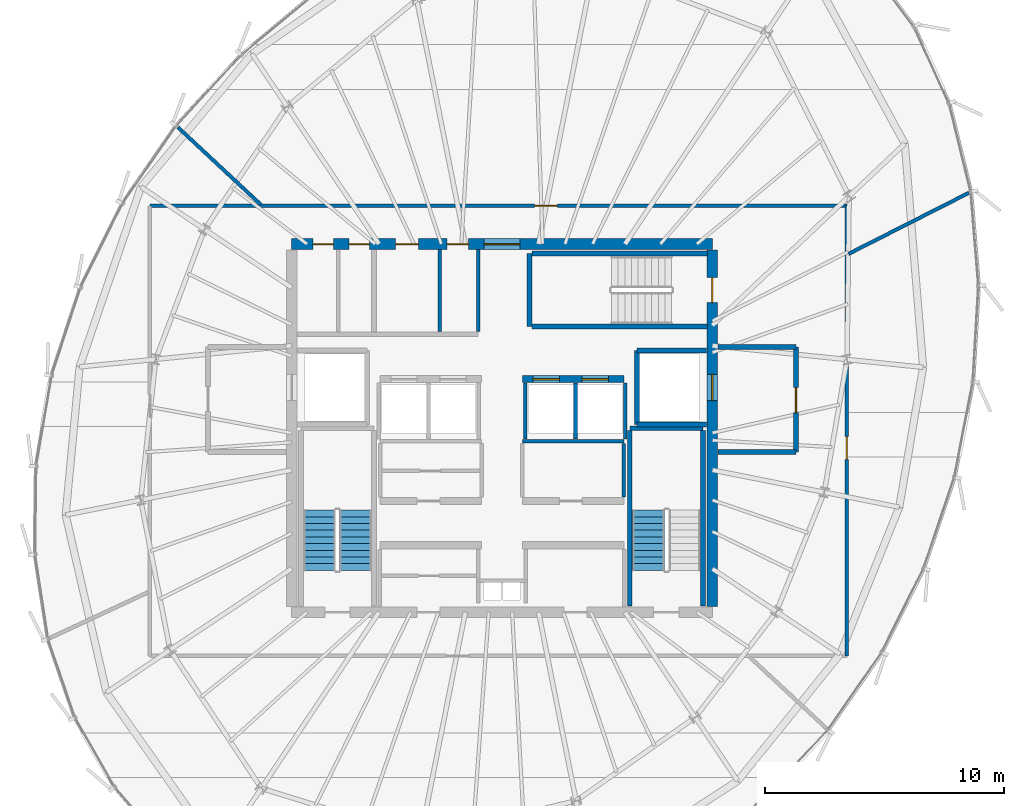
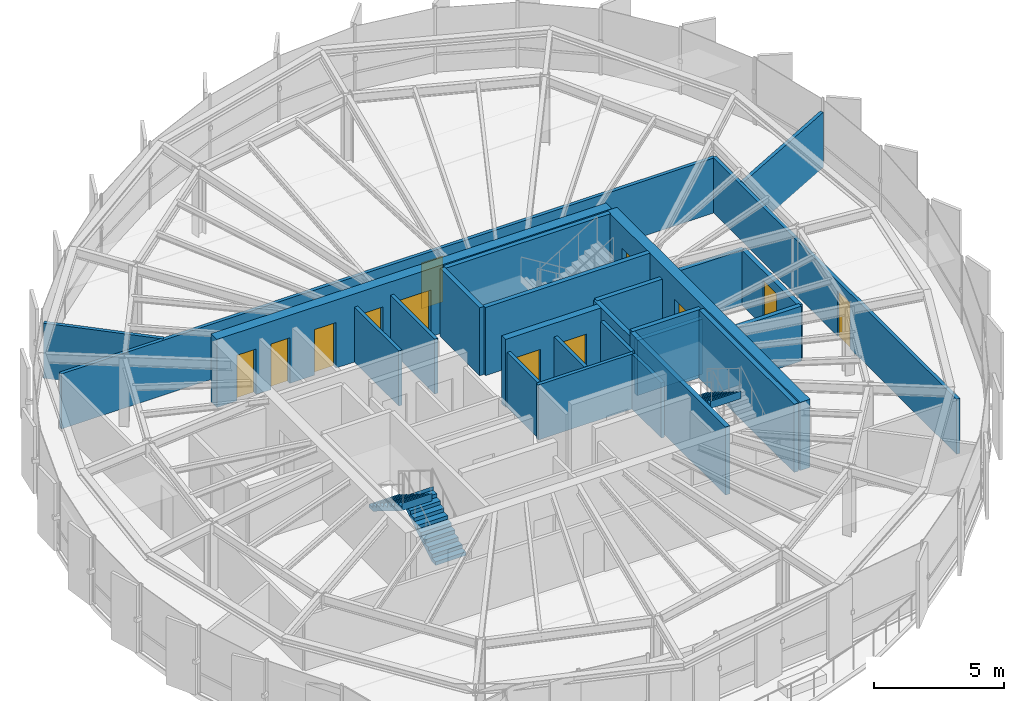
# One storey, part 27 of 32: 26 walls, 12 doors, 3 stair flights, 12 openings, 2 elements without a shape of their own.
"""IFC4 building model written with IfcOpenShell, lengths in metres."""

from ifc_helpers import new_model, si_unit, direction, frame, frame_2d, origin, place, context, subcontext, project, spatial, polyline, rectangle, outline, extrude, source, transform, mapped, material, layer, layer_set, type_object, element, fill, aggregate, save


model = new_model("IFC4")

# Units and contexts
model_context = context("Model", 3, precision=1e-05, world=origin(), true_north=direction((0.0, 1.0)))
body_context = subcontext(model_context, "Body", "Model", "MODEL_VIEW")
ifc_project = project(units=[si_unit("LENGTHUNIT", "METRE"), si_unit("AREAUNIT", "SQUARE_METRE"), si_unit("VOLUMEUNIT", "CUBIC_METRE"), si_unit("PLANEANGLEUNIT", "RADIAN"), si_unit("MASSUNIT", "GRAM", prefix="KILO"), si_unit("THERMODYNAMICTEMPERATUREUNIT", "KELVIN")], contexts=[model_context])

# Site, building, storey
site_placement = place(None, origin())
site = spatial("IfcSite", under=ifc_project, at=site_placement, CompositionType="ELEMENT")
building_placement = place(site_placement, origin())
building = spatial("IfcBuilding", under=site, at=building_placement, Name="Kethvar Cultural Tower", CompositionType="ELEMENT")
storey_placement = place(building_placement, frame((0.0, 0.0, 273.25)))
storey = spatial("IfcBuildingStorey", under=building, at=storey_placement, Name="L72", CompositionType="ELEMENT", Elevation=273.25)

# Wall, openings, doors
ifc_material_1 = material(Name="Concrete C50/60", Category="concrete")
ifc_layer_1 = layer(ifc_material_1, 0.449951171875, Name="Concrete C50/60", Category="concrete")
ifc_layer_set_1 = layer_set([ifc_layer_1], Name="Concrete C50/60 (450 mm)")
wall_type_1 = type_object("IfcWallType", Name="WL-CORE-450", PredefinedType="SHEAR", material=ifc_layer_set_1)
wall_1_placement = place(storey_placement, frame((55.60009765625, 35.5, 0.0), z_axis=(0.0, 0.0, 1.0), x_axis=(-1.0, 0.0, 0.0)))
wall_1 = element("IfcWall", 1, at=wall_1_placement, inside=storey, type_object=wall_type_1, Name="L72 Core Shear Wall N", PredefinedType="SHEAR", context=body_context, shape_type="SweptSolid", body=[
    extrude(rectangle(XDim=17.60009765625, YDim=0.449951171875, at=frame_2d((8.800048828125, 0.0))), origin(), (0.0, 0.0, 1.0), 3.2099609375),
])
opening_1_placement = place(wall_1_placement, frame((8.050048828125, 0.0, 0.0)))
opening_1 = element("IfcOpeningElement", 2, at=opening_1_placement, cuts=wall_1, Name="Opening D-L72-LN", PredefinedType="OPENING", context=body_context, shape_type="SweptSolid", body=[
    extrude(rectangle(XDim=1.5, YDim=2.199951171875, at=frame_2d((0.75, 1.10009765625))), frame((0.0, 0.23486328125, 0.0), z_axis=(0.0, -1.0, 0.0), x_axis=(1.0, 0.0, 0.0)), (0.0, 0.0, 1.0), 0.469970703125),
])
opening_2_placement = place(wall_1_placement, frame((15.85009765625, 0.0, 0.0)))
opening_2 = element("IfcOpeningElement", 3, at=opening_2_placement, cuts=wall_1, Name="Opening D-L72-E1", PredefinedType="OPENING", context=body_context, shape_type="SweptSolid", body=[
    extrude(rectangle(XDim=0.85009765625, YDim=2.14990234375, at=frame_2d((0.425048828125, 1.074951171875))), frame((0.0, 0.23486328125, 0.0), z_axis=(0.0, -1.0, 0.0), x_axis=(1.0, 0.0, 0.0)), (0.0, 0.0, 1.0), 0.469970703125),
])
opening_3_placement = place(wall_1_placement, frame((14.35009765625, 0.0, 0.0)))
opening_3 = element("IfcOpeningElement", 4, at=opening_3_placement, cuts=wall_1, Name="Opening D-L72-E2", PredefinedType="OPENING", context=body_context, shape_type="SweptSolid", body=[
    extrude(rectangle(XDim=0.85009765625, YDim=2.14990234375, at=frame_2d((0.425048828125, 1.074951171875))), frame((0.0, 0.23486328125, 0.0), z_axis=(0.0, -1.0, 0.0), x_axis=(1.0, 0.0, 0.0)), (0.0, 0.0, 1.0), 0.469970703125),
])
opening_4_placement = place(wall_1_placement, frame((12.300048828125, 0.0, 0.0)))
opening_4 = element("IfcOpeningElement", 5, at=opening_4_placement, cuts=wall_1, Name="Opening D-L72-W1", PredefinedType="OPENING", context=body_context, shape_type="SweptSolid", body=[
    extrude(rectangle(XDim=0.949951171875, YDim=2.14990234375, at=frame_2d((0.47509765625, 1.074951171875))), frame((0.0, 0.23486328125, 0.0), z_axis=(0.0, -1.0, 0.0), x_axis=(1.0, 0.0, 0.0)), (0.0, 0.0, 1.0), 0.469970703125),
])
opening_5_placement = place(wall_1_placement, frame((10.199951171875, 0.0, 0.0)))
opening_5 = element("IfcOpeningElement", 6, at=opening_5_placement, cuts=wall_1, Name="Opening D-L72-W2", PredefinedType="OPENING", context=body_context, shape_type="SweptSolid", body=[
    extrude(rectangle(XDim=0.89990234375, YDim=2.14990234375, at=frame_2d((0.449951171875, 1.074951171875))), frame((0.0, 0.23486328125, 0.0), z_axis=(0.0, -1.0, 0.0), x_axis=(1.0, 0.0, 0.0)), (0.0, 0.0, 1.0), 0.469970703125),
])
ifc_material_2 = material(Name="Architectural Oak Timber", Category="wood")
door_type_1 = type_object("IfcDoorType", Name="DR-DBL-FD60-1500", OperationType="DOUBLE_DOOR_SINGLE_SWING", PredefinedType="DOOR", material=ifc_material_2)
shared_shape_1 = source(origin(), body_context, "Body", "SweptSolid", [
    extrude(rectangle(XDim=1.5, YDim=2.199951171875, at=frame_2d((0.75, 1.10009765625))), frame((0.0, 0.02490234375, 0.0), z_axis=(0.0, -1.0, 0.0), x_axis=(1.0, 0.0, 0.0)), (0.0, 0.0, 1.0), 0.050048828125),
])
door_1_placement = place(opening_1_placement, origin())
door_1 = element("IfcDoor", 7, at=door_1_placement, inside=storey, type_object=door_type_1, Name="L72 Lift Lobby Concourse Door", OperationType="DOUBLE_DOOR_SINGLE_SWING", OverallHeight=2.199951171875, OverallWidth=1.5, PredefinedType="DOOR", context=body_context, shape_type="MappedRepresentation", body=[
    mapped(shared_shape_1, transform((0.0, 0.0, 0.0), scale=1.0)),
])
fill(opening_1, door_1)
door_type_2 = type_object("IfcDoorType", Name="DR-FD30-950", OperationType="NOTDEFINED", PredefinedType="DOOR", material=ifc_material_2)
shared_shape_2 = source(origin(), body_context, "Body", "SweptSolid", [
    extrude(rectangle(XDim=0.949951171875, YDim=2.14990234375, at=frame_2d((0.47509765625, 1.074951171875))), frame((0.0, 0.02490234375, 0.0), z_axis=(0.0, -1.0, 0.0), x_axis=(1.0, 0.0, 0.0)), (0.0, 0.0, 1.0), 0.050048828125),
])
door_2_placement = place(opening_4_placement, origin())
door_2 = element("IfcDoor", 8, at=door_2_placement, inside=storey, type_object=door_type_2, Name="L72 Public Washroom Door", OperationType="SINGLE_SWING_LEFT", OverallHeight=2.14990234375, OverallWidth=0.949951171875, PredefinedType="DOOR", context=body_context, shape_type="MappedRepresentation", body=[
    mapped(shared_shape_2, transform((0.0, 0.0, 0.0), scale=1.0)),
])
fill(opening_4, door_2)
door_type_3 = type_object("IfcDoorType", Name="DR-FD30-900", OperationType="NOTDEFINED", PredefinedType="DOOR", material=ifc_material_2)
shared_shape_3 = source(origin(), body_context, "Body", "SweptSolid", [
    extrude(rectangle(XDim=0.89990234375, YDim=2.14990234375, at=frame_2d((0.449951171875, 1.074951171875))), frame((0.0, 0.02490234375, 0.0), z_axis=(0.0, -1.0, 0.0), x_axis=(1.0, 0.0, 0.0)), (0.0, 0.0, 1.0), 0.050048828125),
])
door_3_placement = place(opening_5_placement, origin())
door_3 = element("IfcDoor", 9, at=door_3_placement, inside=storey, type_object=door_type_3, Name="L72 Accessible Washroom Door", OperationType="SINGLE_SWING_RIGHT", OverallHeight=2.14990234375, OverallWidth=0.89990234375, PredefinedType="DOOR", context=body_context, shape_type="MappedRepresentation", body=[
    mapped(shared_shape_3, transform((0.0, 0.0, 0.0), scale=1.0)),
])
fill(opening_5, door_3)
ifc_material_3 = material(Name="Steel S355J2", Category="steel")
door_type_4 = type_object("IfcDoorType", Name="DR-FD30-850", OperationType="NOTDEFINED", PredefinedType="DOOR", material=ifc_material_3)
shared_shape_4 = source(origin(), body_context, "Body", "SweptSolid", [
    extrude(rectangle(XDim=0.85009765625, YDim=2.14990234375, at=frame_2d((0.425048828125, 1.074951171875))), frame((0.0, 0.02490234375, 0.0), z_axis=(0.0, -1.0, 0.0), x_axis=(1.0, 0.0, 0.0)), (0.0, 0.0, 1.0), 0.050048828125),
])
door_4_placement = place(opening_2_placement, origin())
door_4 = element("IfcDoor", 10, at=door_4_placement, inside=storey, type_object=door_type_4, Name="L72 Electrical Riser Door", OperationType="SINGLE_SWING_LEFT", OverallHeight=2.14990234375, OverallWidth=0.85009765625, PredefinedType="DOOR", context=body_context, shape_type="MappedRepresentation", body=[
    mapped(shared_shape_4, transform((0.0, 0.0, 0.0), scale=1.0)),
])
fill(opening_2, door_4)
door_5_placement = place(opening_3_placement, origin())
door_5 = element("IfcDoor", 11, at=door_5_placement, inside=storey, type_object=door_type_4, Name="L72 Chilled Water Riser Door", OperationType="SINGLE_SWING_RIGHT", OverallHeight=2.14990234375, OverallWidth=0.85009765625, PredefinedType="DOOR", context=body_context, shape_type="MappedRepresentation", body=[
    mapped(shared_shape_4, transform((0.0, 0.0, 0.0), scale=1.0)),
])
fill(opening_3, door_5)

wall_2_placement = place(storey_placement, frame((55.60009765625, 20.340087890625, 0.0), z_axis=(0.0, 0.0, 1.0), x_axis=(0.0, 1.0, 0.0)))
wall_2 = element("IfcWall", 12, at=wall_2_placement, inside=storey, type_object=wall_type_1, Name="L72 Core Shear Wall E", PredefinedType="SHEAR", context=body_context, shape_type="SweptSolid", body=[
    extrude(rectangle(XDim=14.919921875, YDim=0.449951171875, at=frame_2d((7.4599609375, 0.0))), origin(), (0.0, 0.0, 1.0), 3.2099609375),
])
opening_6_placement = place(wall_2_placement, frame((12.7099609375, 0.0, 0.0)))
opening_6 = element("IfcOpeningElement", 13, at=opening_6_placement, cuts=wall_2, Name="Opening D-L72-S3", PredefinedType="OPENING", context=body_context, shape_type="SweptSolid", body=[
    extrude(rectangle(XDim=1.050048828125, YDim=2.14990234375, at=frame_2d((0.52490234375, 1.074951171875))), frame((0.0, 0.23486328125, 0.0), z_axis=(0.0, -1.0, 0.0), x_axis=(1.0, 0.0, 0.0)), (0.0, 0.0, 1.0), 0.469970703125),
])
opening_7_placement = place(wall_2_placement, frame((8.610107421875, 0.0, 0.0)))
opening_7 = element("IfcOpeningElement", 14, at=opening_7_placement, cuts=wall_2, Name="Opening LD-2", PredefinedType="OPENING", context=body_context, shape_type="SweptSolid", body=[
    extrude(rectangle(XDim=1.10009765625, YDim=2.199951171875, at=frame_2d((0.550048828125, 1.10009765625))), frame((0.0, 0.23486328125, 0.0), z_axis=(0.0, -1.0, 0.0), x_axis=(1.0, 0.0, 0.0)), (0.0, 0.0, 1.0), 0.469970703125),
])
door_type_5 = type_object("IfcDoorType", Name="DR-FD60-1050", OperationType="NOTDEFINED", PredefinedType="DOOR", material=ifc_material_3)
shared_shape_5 = source(origin(), body_context, "Body", "SweptSolid", [
    extrude(rectangle(XDim=1.050048828125, YDim=2.14990234375, at=frame_2d((0.52490234375, 1.074951171875))), frame((0.0, 0.02490234375, 0.0), z_axis=(0.0, -1.0, 0.0), x_axis=(1.0, 0.0, 0.0)), (0.0, 0.0, 1.0), 0.050048828125),
])
door_6_placement = place(opening_6_placement, origin())
door_6 = element("IfcDoor", 15, at=door_6_placement, inside=storey, type_object=door_type_5, Name="L72 Exit Stair 3 Door", OperationType="SINGLE_SWING_LEFT", OverallHeight=2.14990234375, OverallWidth=1.050048828125, PredefinedType="DOOR", context=body_context, shape_type="MappedRepresentation", body=[
    mapped(shared_shape_5, transform((0.0, 0.0, 0.0), scale=1.0)),
])
fill(opening_6, door_6)
door_type_6 = type_object("IfcDoorType", Name="DR-LIFT-SLIDE-1100", OperationType="NOTDEFINED", PredefinedType="DOOR", material=ifc_material_3)
shared_shape_6 = source(origin(), body_context, "Body", "SweptSolid", [
    extrude(rectangle(XDim=1.10009765625, YDim=2.199951171875, at=frame_2d((0.550048828125, 1.10009765625))), frame((0.0, 0.02490234375, 0.0), z_axis=(0.0, -1.0, 0.0), x_axis=(1.0, 0.0, 0.0)), (0.0, 0.0, 1.0), 0.050048828125),
])
door_7_placement = place(opening_7_placement, origin())
door_7 = element("IfcDoor", 16, at=door_7_placement, inside=storey, type_object=door_type_6, Name="L72 Firefighting Lift Landing Door FFL-02", OperationType="SLIDING_TO_RIGHT", OverallHeight=2.199951171875, OverallWidth=1.10009765625, PredefinedType="DOOR", context=body_context, shape_type="MappedRepresentation", body=[
    mapped(shared_shape_6, transform((0.0, 0.0, 0.0), scale=1.0)),
])
fill(opening_7, door_7)

# Walls
ifc_material_4 = material(Name="Gypsum Fireboard Partition")
ifc_layer_2 = layer(ifc_material_4, 0.14990234375, Name="Gypsum Fireboard Partition")
ifc_layer_set_2 = layer_set([ifc_layer_2], Name="Gypsum Fireboard Partition (150 mm)")
wall_type_2 = type_object("IfcWallType", Name="WL-FIRE-150", PredefinedType="PARTITIONING", material=ifc_layer_set_2)
wall_3_placement = place(storey_placement, frame((47.64990234375, 27.25, 0.0), z_axis=(0.0, 0.0, 1.0), x_axis=(1.0, 0.0, 0.0)))
element("IfcWall", 17, at=wall_3_placement, inside=storey, type_object=wall_type_2, Name="L72 Reclaimed Mid Wall E", PredefinedType="PARTITIONING", context=body_context, shape_type="SweptSolid", body=[
    extrude(rectangle(XDim=4.25, YDim=0.14990234375, at=frame_2d((2.125, 0.0))), origin(), (0.0, 0.0, 1.0), 2.594970703125),
])
wall_4_placement = place(storey_placement, frame((51.89990234375, 24.919921875, 0.0), z_axis=(0.0, 0.0, 1.0), x_axis=(0.0, 1.0, 0.0)))
element("IfcWall", 18, at=wall_4_placement, inside=storey, type_object=wall_type_2, Name="L72 Reclaimed Mid Outer E", PredefinedType="PARTITIONING", context=body_context, shape_type="SweptSolid", body=[
    extrude(rectangle(XDim=2.239990234375, YDim=0.14990234375, at=frame_2d((1.1201171875, 0.0))), origin(), (0.0, 0.0, 1.0), 2.594970703125),
])
for number, where, z_axis, x_axis, name in (
    (19, (47.77490234375, 27.340087890625, 0.0), (0.0, 0.0, 1.0), (0.0, 1.0, 0.0), "L72 High-Rise Lift Shaft Concourse Wall E"),
    (20, (49.875, 27.340087890625, 0.0), (0.0, 0.0, 1.0), (0.0, 1.0, 0.0), "L72 High-Rise Lift Shaft Divider E"),
    (21, (51.949951171875, 27.340087890625, 0.0), (0.0, 0.0, 1.0), (0.0, 1.0, 0.0), "L72 High-Rise Lift Shaft Outer Wall E"),
):
    element("IfcWall", number, at=place(storey_placement, frame(where, z_axis=z_axis, x_axis=x_axis)), inside=storey, type_object=wall_type_2, Name=name, PredefinedType="PARTITIONING", context=body_context, shape_type="SweptSolid", body=[
        extrude(rectangle(XDim=2.33984375, YDim=0.14990234375, at=frame_2d((1.169921875, 0.0))), origin(), (0.0, 0.0, 1.0), 2.594970703125),
    ])
wall_5_placement = place(storey_placement, frame((45.800048828125, 31.85009765625, 0.0), z_axis=(0.0, 0.0, 1.0), x_axis=(0.0, 1.0, 0.0)))
element("IfcWall", 22, at=wall_5_placement, inside=storey, type_object=wall_type_2, Name="L72 Sanitary Spine Wall", PredefinedType="PARTITIONING", context=body_context, shape_type="SweptSolid", body=[
    extrude(rectangle(XDim=3.414794921875, YDim=0.14990234375, at=frame_2d((1.70751953125, 0.0))), origin(), (0.0, 0.0, 1.0), 2.594970703125),
])

# Wall, opening, door
wall_6_placement = place(storey_placement, frame((61.22607421875, 18.26904296875, 0.0), z_axis=(0.0, 0.0, 1.0), x_axis=(0.0, 1.0, 0.0)))
wall_6 = element("IfcWall", 23, at=wall_6_placement, inside=storey, type_object=wall_type_2, Name="L72 Corridor Rated Wall E", PredefinedType="PARTITIONING", context=body_context, shape_type="SweptSolid", body=[
    extrude(rectangle(XDim=18.8310546875, YDim=0.14990234375, at=frame_2d((9.41552734375, 0.0))), origin(), (0.0, 0.0, 1.0), 2.594970703125),
])
opening_8_placement = place(wall_6_placement, frame((8.2236328125, 0.0, 0.0)))
opening_8 = element("IfcOpeningElement", 24, at=opening_8_placement, cuts=wall_6, Name="Opening D-L72-02", PredefinedType="OPENING", context=body_context, shape_type="SweptSolid", body=[
    extrude(rectangle(XDim=0.949951171875, YDim=2.14990234375, at=frame_2d((0.47509765625, 1.074951171875))), frame((0.0, 0.0849609375, 0.0), z_axis=(0.0, -1.0, 0.0), x_axis=(1.0, 0.0, 0.0)), (0.0, 0.0, 1.0), 0.169921875),
])
door_8_placement = place(opening_8_placement, origin())
door_8 = element("IfcDoor", 25, at=door_8_placement, inside=storey, type_object=door_type_2, Name="L72 Registrar Staff Room 02 Door", OperationType="SINGLE_SWING_RIGHT", OverallHeight=2.14990234375, OverallWidth=0.949951171875, PredefinedType="DOOR", context=body_context, shape_type="MappedRepresentation", body=[
    mapped(shared_shape_2, transform((0.0, 0.0, 0.0), scale=1.0)),
])
fill(opening_8, door_8)

wall_7_placement = place(storey_placement, frame((61.22607421875, 37.10009765625, 0.0), z_axis=(0.0, 0.0, 1.0), x_axis=(-1.0, 0.0, 0.0)))
wall_7 = element("IfcWall", 26, at=wall_7_placement, inside=storey, type_object=wall_type_2, Name="L72 Corridor Rated Wall N", PredefinedType="PARTITIONING", context=body_context, shape_type="SweptSolid", body=[
    extrude(rectangle(XDim=29.156005859375, YDim=0.14990234375, at=frame_2d((14.578125, 0.0))), origin(), (0.0, 0.0, 1.0), 2.594970703125),
])
opening_9_placement = place(wall_7_placement, frame((12.1103515625, 0.0, 0.0)))
opening_9 = element("IfcOpeningElement", 27, at=opening_9_placement, cuts=wall_7, Name="Opening D-L72-03", PredefinedType="OPENING", context=body_context, shape_type="SweptSolid", body=[
    extrude(rectangle(XDim=0.949951171875, YDim=2.14990234375, at=frame_2d((0.47509765625, 1.074951171875))), frame((0.0, 0.0849609375, 0.0), z_axis=(0.0, -1.0, 0.0), x_axis=(1.0, 0.0, 0.0)), (0.0, 0.0, 1.0), 0.169921875),
])
door_9_placement = place(opening_9_placement, origin())
door_9 = element("IfcDoor", 28, at=door_9_placement, inside=storey, type_object=door_type_2, Name="L72 Delegation Briefing Foyer 03 Door", OperationType="SINGLE_SWING_LEFT", OverallHeight=2.14990234375, OverallWidth=0.949951171875, PredefinedType="DOOR", context=body_context, shape_type="MappedRepresentation", body=[
    mapped(shared_shape_2, transform((0.0, 0.0, 0.0), scale=1.0)),
])
fill(opening_9, door_9)

# Walls
ifc_material_5 = material(Name="Concrete C40/50", Category="concrete")
ifc_layer_3 = layer(ifc_material_5, 0.199951171875, Name="Concrete C40/50", Category="concrete")
ifc_layer_set_3 = layer_set([ifc_layer_3], Name="Concrete C40/50 (200 mm)")
wall_type_3 = type_object("IfcWallType", Name="WL-FIRE-200", PredefinedType="PARTITIONING", material=ifc_layer_set_3)
wall_8_placement = place(storey_placement, frame((52.449951171875, 27.949951171875, 0.0), z_axis=(0.0, 0.0, 1.0), x_axis=(0.0, 1.0, 0.0)))
element("IfcWall", 29, at=wall_8_placement, inside=storey, type_object=wall_type_3, Name="L72 FFL-02 Shaft Inner Wall", PredefinedType="PARTITIONING", context=body_context, shape_type="SweptSolid", body=[
    extrude(rectangle(XDim=3.10009765625, YDim=0.199951171875, at=frame_2d((1.550048828125, 0.0))), origin(), (0.0, 0.0, 1.0), 2.594970703125),
])
for number, where, z_axis, x_axis, name in (
    (30, (52.449951171875, 27.949951171875, 0.0), (0.0, 0.0, 1.0), (1.0, 0.0, 0.0), "L72 FFL-02 Shaft South Wall"),
    (31, (52.449951171875, 31.050048828125, 0.0), (0.0, 0.0, 1.0), (1.0, 0.0, 0.0), "L72 FFL-02 Shaft North Wall"),
):
    element("IfcWall", number, at=place(storey_placement, frame(where, z_axis=z_axis, x_axis=x_axis)), inside=storey, type_object=wall_type_3, Name=name, PredefinedType="PARTITIONING", context=body_context, shape_type="SweptSolid", body=[
        extrude(rectangle(XDim=2.9150390625, YDim=0.199951171875, at=frame_2d((1.45751953125, 0.0))), origin(), (0.0, 0.0, 1.0), 2.594970703125),
    ])

# Wall, opening, door
wall_9_placement = place(storey_placement, frame((59.10009765625, 26.800048828125, 0.0), z_axis=(0.0, 0.0, 1.0), x_axis=(0.0, 1.0, 0.0)))
wall_9 = element("IfcWall", 32, at=wall_9_placement, inside=storey, type_object=wall_type_3, Name="L72 Firefighting Lobby 2 Wall", PredefinedType="PARTITIONING", context=body_context, shape_type="SweptSolid", body=[
    extrude(rectangle(XDim=4.39990234375, YDim=0.199951171875, at=frame_2d((2.199951171875, 0.0))), origin(), (0.0, 0.0, 1.0), 2.594970703125),
])
opening_10_placement = place(wall_9_placement, frame((1.64990234375, 0.0, 0.0)))
opening_10 = element("IfcOpeningElement", 33, at=opening_10_placement, cuts=wall_9, Name="Opening D-L72-F2", PredefinedType="OPENING", context=body_context, shape_type="SweptSolid", body=[
    extrude(rectangle(XDim=1.050048828125, YDim=2.14990234375, at=frame_2d((0.52490234375, 1.074951171875))), frame((0.0, 0.10986328125, 0.0), z_axis=(0.0, -1.0, 0.0), x_axis=(1.0, 0.0, 0.0)), (0.0, 0.0, 1.0), 0.219970703125),
])
door_10_placement = place(opening_10_placement, origin())
door_10 = element("IfcDoor", 34, at=door_10_placement, inside=storey, type_object=door_type_5, Name="L72 Firefighting Lobby 2 Fire Door", OperationType="SINGLE_SWING_LEFT", OverallHeight=2.14990234375, OverallWidth=1.050048828125, PredefinedType="DOOR", context=body_context, shape_type="MappedRepresentation", body=[
    mapped(shared_shape_5, transform((0.0, 0.0, 0.0), scale=1.0)),
])
fill(opening_10, door_10)

# Walls
for number, where, z_axis, x_axis, name in (
    (35, (55.8349609375, 26.800048828125, 0.0), (0.0, 0.0, 1.0), (1.0, 0.0, 0.0), "L72 FF Lobby 2 South Wall"),
    (36, (55.8349609375, 31.199951171875, 0.0), (0.0, 0.0, 1.0), (1.0, 0.0, 0.0), "L72 FF Lobby 2 North Wall"),
):
    element("IfcWall", number, at=place(storey_placement, frame(where, z_axis=z_axis, x_axis=x_axis)), inside=storey, type_object=wall_type_3, Name=name, PredefinedType="PARTITIONING", context=body_context, shape_type="SweptSolid", body=[
        extrude(rectangle(XDim=3.26513671875, YDim=0.199951171875, at=frame_2d((1.632568359375, 0.0))), origin(), (0.0, 0.0, 1.0), 2.594970703125),
    ])
ifc_material_6 = material(Name="Gypsum Acoustic Partition")
ifc_layer_4 = layer(ifc_material_6, 0.14990234375, Name="Gypsum Acoustic Partition")
ifc_layer_set_4 = layer_set([ifc_layer_4], Name="Gypsum Acoustic Partition (150 mm)")
wall_type_4 = type_object("IfcWallType", Name="WL-PART-150", PredefinedType="PARTITIONING", material=ifc_layer_set_4)
wall_10_placement = place(storey_placement, frame((61.29736328125, 35.089111328125, 0.0), z_axis=(0.0, 0.0, 1.0), x_axis=(0.891723117969, 0.452581352774, 0.0)))
element("IfcWall", 37, at=wall_10_placement, inside=storey, type_object=wall_type_4, Name="L72 Radial Partition Wall 03", PredefinedType="PARTITIONING", context=body_context, shape_type="SweptSolid", body=[
    extrude(rectangle(XDim=5.649658203125, YDim=0.14990234375, at=frame_2d((2.82470703125, 0.0))), origin(), (0.0, 0.0, 1.0), 2.594970703125),
])
wall_11_placement = place(storey_placement, frame((36.708740234375, 37.154541015625, 0.0), z_axis=(0.0, 0.0, 1.0), x_axis=(-0.731440422575, 0.681905351367, 0.0)))
element("IfcWall", 38, at=wall_11_placement, inside=storey, type_object=wall_type_4, Name="L72 Radial Partition Wall 04", PredefinedType="PARTITIONING", context=body_context, shape_type="SweptSolid", body=[
    extrude(rectangle(XDim=4.741455078125, YDim=0.14990234375, at=frame_2d((2.37060546875, 0.0))), origin(), (0.0, 0.0, 1.0), 2.594970703125),
])
ifc_material_7 = material(Name="Moisture-Resistant Sanitary Chase Wall")
ifc_layer_5 = layer(ifc_material_7, 0.14990234375, Name="Moisture-Resistant Sanitary Chase Wall")
ifc_layer_set_5 = layer_set([ifc_layer_5], Name="Moisture-Resistant Sanitary Chase Wall (150 mm)")
wall_type_5 = type_object("IfcWallType", Name="WL-PLUMB-150", PredefinedType="PLUMBINGWALL", material=ifc_layer_set_5)
wall_12_placement = place(storey_placement, frame((44.199951171875, 31.85009765625, 0.0), z_axis=(0.0, 0.0, 1.0), x_axis=(0.0, 1.0, 0.0)))
element("IfcWall", 39, at=wall_12_placement, inside=storey, type_object=wall_type_5, Name="L72 Sanitary Plumbing Wall", PredefinedType="PLUMBINGWALL", context=body_context, shape_type="SweptSolid", body=[
    extrude(rectangle(XDim=3.414794921875, YDim=0.14990234375, at=frame_2d((1.70751953125, 0.0))), origin(), (0.0, 0.0, 1.0), 2.594970703125),
])

# Wall, openings, doors
ifc_layer_6 = layer(ifc_material_1, 0.300048828125, Name="Concrete C50/60", Category="concrete")
ifc_layer_set_6 = layer_set([ifc_layer_6], Name="Concrete C50/60 (300 mm)")
wall_type_6 = type_object("IfcWallType", Name="WL-SHAFT-300", PredefinedType="SHEAR", material=ifc_layer_set_6)
wall_13_placement = place(storey_placement, frame((47.64990234375, 29.85009765625, 0.0), z_axis=(0.0, 0.0, 1.0), x_axis=(1.0, 0.0, 0.0)))
wall_13 = element("IfcWall", 40, at=wall_13_placement, inside=storey, type_object=wall_type_6, Name="L72 Core Lift Spine Wall MID3E", PredefinedType="SHEAR", context=body_context, shape_type="SweptSolid", body=[
    extrude(rectangle(XDim=4.25, YDim=0.300048828125, at=frame_2d((2.125, 0.0))), origin(), (0.0, 0.0, 1.0), 3.2099609375),
])
opening_11_placement = place(wall_13_placement, frame((0.449951171875, 0.0, 0.0)))
opening_11 = element("IfcOpeningElement", 41, at=opening_11_placement, cuts=wall_13, Name="Opening LD-H3", PredefinedType="OPENING", context=body_context, shape_type="SweptSolid", body=[
    extrude(rectangle(XDim=1.10009765625, YDim=2.199951171875, at=frame_2d((0.550048828125, 1.10009765625))), frame((0.0, 0.159912109375, 0.0), z_axis=(0.0, -1.0, 0.0), x_axis=(1.0, 0.0, 0.0)), (0.0, 0.0, 1.0), 0.320068359375),
])
opening_12_placement = place(wall_13_placement, frame((2.5, 0.0, 0.0)))
opening_12 = element("IfcOpeningElement", 42, at=opening_12_placement, cuts=wall_13, Name="Opening LD-H4", PredefinedType="OPENING", context=body_context, shape_type="SweptSolid", body=[
    extrude(rectangle(XDim=1.10009765625, YDim=2.199951171875, at=frame_2d((0.550048828125, 1.10009765625))), frame((0.0, 0.159912109375, 0.0), z_axis=(0.0, -1.0, 0.0), x_axis=(1.0, 0.0, 0.0)), (0.0, 0.0, 1.0), 0.320068359375),
])
door_11_placement = place(opening_11_placement, origin())
door_11 = element("IfcDoor", 43, at=door_11_placement, inside=storey, type_object=door_type_6, Name="L72 High-Rise Lift Landing Door H3", OperationType="SLIDING_TO_LEFT", OverallHeight=2.199951171875, OverallWidth=1.10009765625, PredefinedType="DOOR", context=body_context, shape_type="MappedRepresentation", body=[
    mapped(shared_shape_6, transform((0.0, 0.0, 0.0), scale=1.0)),
])
fill(opening_11, door_11)
door_12_placement = place(opening_12_placement, origin())
door_12 = element("IfcDoor", 44, at=door_12_placement, inside=storey, type_object=door_type_6, Name="L72 High-Rise Lift Landing Door H4", OperationType="SLIDING_TO_LEFT", OverallHeight=2.199951171875, OverallWidth=1.10009765625, PredefinedType="DOOR", context=body_context, shape_type="MappedRepresentation", body=[
    mapped(shared_shape_6, transform((0.0, 0.0, 0.0), scale=1.0)),
])
fill(opening_12, door_12)

# Walls
ifc_layer_7 = layer(ifc_material_1, 0.199951171875, Name="Concrete C50/60", Category="concrete")
ifc_layer_set_7 = layer_set([ifc_layer_7], Name="Concrete C50/60 (200 mm)")
wall_type_7 = type_object("IfcWallType", Name="WL-STSHAFT-200", PredefinedType="SHEAR", material=ifc_layer_set_7)
wall_14_placement = place(storey_placement, frame((52.14990234375, 27.800048828125, 0.0), z_axis=(0.0, 0.0, 1.0), x_axis=(1.0, 0.0, 0.0)))
element("IfcWall", 45, at=wall_14_placement, inside=storey, type_object=wall_type_7, Name="L72 ST-02 Stair Shaft Wall FAR", PredefinedType="SHEAR", context=body_context, shape_type="SweptSolid", body=[
    extrude(rectangle(XDim=3.06005859375, YDim=0.199951171875, at=frame_2d((1.530029296875, 0.0))), origin(), (0.0, 0.0, 1.0), 3.2099609375),
])
for number, where, z_axis, x_axis, name in (
    (46, (55.2099609375, 27.699951171875, 0.0), (0.0, 0.0, 1.0), (0.0, -1.0, 0.0), "L72 ST-02 Stair Shaft Wall LEFT"),
    (47, (52.14990234375, 20.35009765625, 0.0), (0.0, 0.0, 1.0), (0.0, 1.0, 0.0), "L72 ST-02 Stair Shaft Wall RIGHT"),
):
    element("IfcWall", number, at=place(storey_placement, frame(where, z_axis=z_axis, x_axis=x_axis)), inside=storey, type_object=wall_type_7, Name=name, PredefinedType="SHEAR", context=body_context, shape_type="SweptSolid", body=[
        extrude(rectangle(XDim=7.349853515625, YDim=0.199951171875, at=frame_2d((3.6748046875, 0.0))), origin(), (0.0, 0.0, 1.0), 3.2099609375),
    ])
wall_15_placement = place(storey_placement, frame((47.949951171875, 32.050048828125, 0.0), z_axis=(0.0, 0.0, 1.0), x_axis=(0.0, 1.0, 0.0)))
element("IfcWall", 48, at=wall_15_placement, inside=storey, type_object=wall_type_7, Name="L72 ST-03 Stair Shaft Wall FAR", PredefinedType="SHEAR", context=body_context, shape_type="SweptSolid", body=[
    extrude(rectangle(XDim=3.06005859375, YDim=0.199951171875, at=frame_2d((1.530029296875, 0.0))), origin(), (0.0, 0.0, 1.0), 3.2099609375),
])
for number, where, z_axis, x_axis, name in (
    (49, (48.050048828125, 35.110107421875, 0.0), (0.0, 0.0, 1.0), (1.0, 0.0, 0.0), "L72 ST-03 Stair Shaft Wall LEFT"),
    (50, (55.39990234375, 32.050048828125, 0.0), (0.0, 0.0, 1.0), (-1.0, 0.0, 0.0), "L72 ST-03 Stair Shaft Wall RIGHT"),
):
    element("IfcWall", number, at=place(storey_placement, frame(where, z_axis=z_axis, x_axis=x_axis)), inside=storey, type_object=wall_type_7, Name=name, PredefinedType="SHEAR", context=body_context, shape_type="SweptSolid", body=[
        extrude(rectangle(XDim=7.349853515625, YDim=0.199951171875, at=frame_2d((3.6748046875, 0.0))), origin(), (0.0, 0.0, 1.0), 3.2099609375),
    ])

# Stair, stair flights
stair_type = type_object("IfcStairType", Name="ST-DOGLEG-135", PredefinedType="HALF_TURN_STAIR", material=ifc_material_5)
stair_1_placement = place(storey_placement, origin())
stair_1 = element("IfcStair", 51, at=stair_1_placement, inside=storey, type_object=stair_type, Name="L72 Core Exit Stair 1", PredefinedType="HALF_TURN_STAIR")
stair_flight_type = type_object("IfcStairFlightType", Name="FL-STRAIGHT-135", PredefinedType="STRAIGHT", material=ifc_material_5)
stair_flight_1_placement = place(storey_placement, frame((40.675048828125, 21.85009765625, 0.0), z_axis=(0.0, 0.0, 1.0), x_axis=(0.0, 1.0, 0.0)))
stair_flight_1 = element("IfcStairFlight", 52, at=stair_flight_1_placement, type_object=stair_flight_type, Name="ST-01 flight 1", NumberOfRisers=10, NumberOfTreads=9, PredefinedType="STRAIGHT", RiserHeight=0.1725, TreadLength=0.28, context=body_context, shape_type="SweptSolid", body=[
    extrude(outline(polyline([(-0.0009765625, -0.0009765625), (-0.0009765625, 0.172607421875), (0.280029296875, 0.172607421875), (0.280029296875, 0.344970703125), (0.56005859375, 0.344970703125), (0.56005859375, 0.517578125), (0.840087890625, 0.517578125), (0.840087890625, 0.68994140625), (1.1201171875, 0.68994140625), (1.1201171875, 0.862548828125), (1.39990234375, 0.862548828125), (1.39990234375, 1.034912109375), (1.679931640625, 1.034912109375), (1.679931640625, 1.20751953125), (1.9599609375, 1.20751953125), (1.9599609375, 1.3798828125), (2.239990234375, 1.3798828125), (2.239990234375, 1.552490234375), (2.52001953125, 1.552490234375), (2.52001953125, 1.72509765625), (2.52099609375, 1.72509765625), (2.52099609375, 1.37646484375), (0.285888671875, 0.0), (0.0, -0.0009765625), (-0.0009765625, -0.0009765625)])), frame((0.0, 0.675048828125, 0.0), z_axis=(0.0, -1.0, 0.0), x_axis=(1.0, 0.0, 0.0)), (0.0, 0.0, 1.0), 1.35009765625),
])
stair_flight_2_placement = place(storey_placement, frame((39.1650390625, 24.3701171875, 1.72509765625), z_axis=(0.0, 0.0, 1.0), x_axis=(0.0, -1.0, 0.0)))
stair_flight_2 = element("IfcStairFlight", 53, at=stair_flight_2_placement, type_object=stair_flight_type, Name="ST-01 flight 2", NumberOfRisers=10, NumberOfTreads=9, PredefinedType="STRAIGHT", RiserHeight=0.1725, TreadLength=0.28, context=body_context, shape_type="SweptSolid", body=[
    extrude(outline(polyline([(-0.0009765625, -0.0009765625), (-0.0009765625, 0.172607421875), (0.280029296875, 0.172607421875), (0.280029296875, 0.344970703125), (0.56005859375, 0.344970703125), (0.56005859375, 0.517578125), (0.840087890625, 0.517578125), (0.840087890625, 0.68994140625), (1.1201171875, 0.68994140625), (1.1201171875, 0.862548828125), (1.39990234375, 0.862548828125), (1.39990234375, 1.034912109375), (1.679931640625, 1.034912109375), (1.679931640625, 1.20751953125), (1.9599609375, 1.20751953125), (1.9599609375, 1.3798828125), (2.239990234375, 1.3798828125), (2.239990234375, 1.552490234375), (2.52001953125, 1.552490234375), (2.52001953125, 1.72509765625), (2.52099609375, 1.72509765625), (2.52099609375, 1.37646484375), (0.285888671875, 0.0), (0.0, -0.0009765625), (-0.0009765625, -0.0009765625)])), frame((0.0, 0.675048828125, 0.0), z_axis=(0.0, -1.0, 0.0), x_axis=(1.0, 0.0, 0.0)), (0.0, 0.0, 1.0), 1.35009765625),
])
aggregate(stair_1, [stair_flight_1, stair_flight_2])

# Stair, stair flight
stair_2_placement = place(storey_placement, origin())
stair_2 = element("IfcStair", 54, at=stair_2_placement, inside=storey, type_object=stair_type, Name="L72 Core Exit Stair 2", PredefinedType="HALF_TURN_STAIR")
stair_flight_3_placement = place(storey_placement, frame((52.925048828125, 24.3701171875, 1.72509765625), z_axis=(0.0, 0.0, 1.0), x_axis=(0.0, -1.0, 0.0)))
stair_flight_3 = element("IfcStairFlight", 55, at=stair_flight_3_placement, type_object=stair_flight_type, Name="ST-02 flight 2", NumberOfRisers=10, NumberOfTreads=9, PredefinedType="STRAIGHT", RiserHeight=0.1725, TreadLength=0.28, context=body_context, shape_type="SweptSolid", body=[
    extrude(outline(polyline([(-0.0009765625, -0.0009765625), (-0.0009765625, 0.172607421875), (0.280029296875, 0.172607421875), (0.280029296875, 0.344970703125), (0.56005859375, 0.344970703125), (0.56005859375, 0.517578125), (0.840087890625, 0.517578125), (0.840087890625, 0.68994140625), (1.1201171875, 0.68994140625), (1.1201171875, 0.862548828125), (1.39990234375, 0.862548828125), (1.39990234375, 1.034912109375), (1.679931640625, 1.034912109375), (1.679931640625, 1.20751953125), (1.9599609375, 1.20751953125), (1.9599609375, 1.3798828125), (2.239990234375, 1.3798828125), (2.239990234375, 1.552490234375), (2.52001953125, 1.552490234375), (2.52001953125, 1.72509765625), (2.52099609375, 1.72509765625), (2.52099609375, 1.37646484375), (0.285888671875, 0.0), (0.0, -0.0009765625), (-0.0009765625, -0.0009765625)])), frame((0.0, 0.675048828125, 0.0), z_axis=(0.0, -1.0, 0.0), x_axis=(1.0, 0.0, 0.0)), (0.0, 0.0, 1.0), 1.35009765625),
])
aggregate(stair_2, [stair_flight_3])

save(model, "model.ifc")
